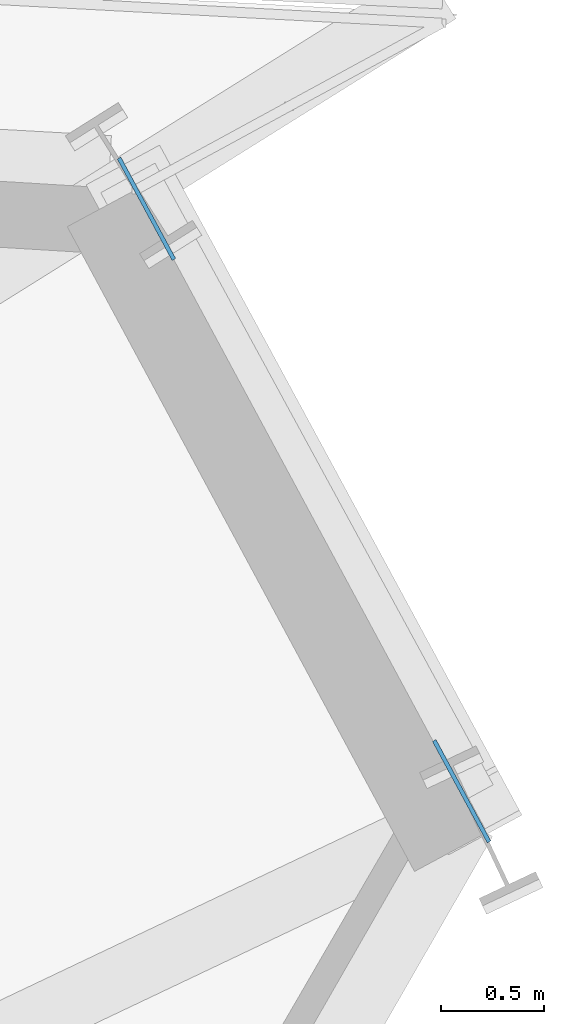
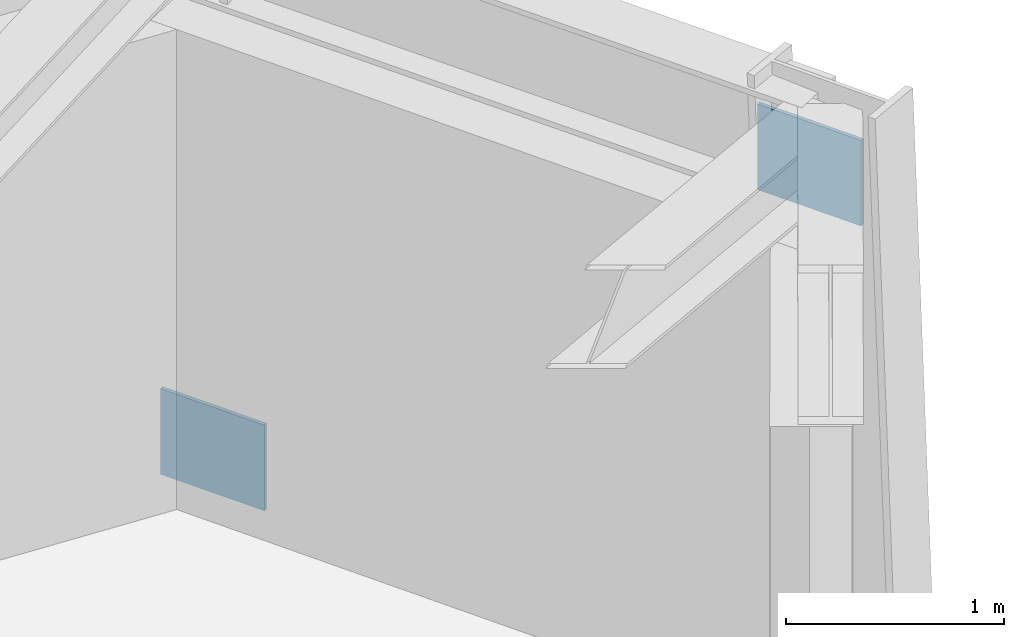
# One storey, part 7 of 14: 2 plates.
"""IFC4 building model written with IfcOpenShell, lengths in metres."""

from ifc_helpers import new_model, si_unit, direction, frame, origin, origin_2d, place, context, subcontext, project, spatial, rectangle, extrude, source, transform, mapped, material, type_object, element, save


model = new_model("IFC4")

# Units and contexts
model_context = context("Model", 3, precision=1e-05, world=origin(), true_north=direction((0.0, 1.0)))
body_context = subcontext(model_context, "Body", "Model", "MODEL_VIEW")
ifc_project = project(units=[si_unit("LENGTHUNIT", "METRE"), si_unit("AREAUNIT", "SQUARE_METRE"), si_unit("VOLUMEUNIT", "CUBIC_METRE"), si_unit("PLANEANGLEUNIT", "RADIAN"), si_unit("MASSUNIT", "GRAM", prefix="KILO")], contexts=[model_context])

# Site, building, storey
site_placement = place(None, origin())
site = spatial("IfcSite", under=ifc_project, at=site_placement, CompositionType="ELEMENT")
building_placement = place(site_placement, origin())
building = spatial("IfcBuilding", under=site, at=building_placement, Name="Olszyna Solenne Hotel", CompositionType="ELEMENT")
storey_placement = place(building_placement, frame((0.0, 0.0, 153.699951171875)))
storey = spatial("IfcBuildingStorey", under=building, at=storey_placement, Name="L40", CompositionType="ELEMENT", Elevation=153.699951171875)

# Plates
ifc_material = material(Name="Steel S355J2", Category="steel")
plate_type = type_object("IfcPlateType", Name="GP-ND2", PredefinedType="USERDEFINED", material=ifc_material)
shared_shape = source(origin(), body_context, "Body", "SweptSolid", [
    extrude(rectangle(XDim=0.56005859375, YDim=0.02001953125, at=origin_2d()), origin(), (0.0, 0.0, 1.0), 0.47998046875),
])
for number, where, z_axis, x_axis, name in (
    (1, (63.131591796875, 42.213134765625, -0.138427734375), (0.0, 0.0, 1.0), (0.475931235364, -0.87948249511, 0.0), "Brace end connection gusset plate GP-ND2 EP-BR-L40-1-1"),
    (2, (64.6630859375, 39.3828125, 2.638671875), (0.0, 0.0, 1.0), (0.475931235364, -0.87948249511, 0.0), "Brace end connection gusset plate GP-ND2 EP-BR-L40-1-2"),
):
    element("IfcPlate", number, at=place(storey_placement, frame(where, z_axis=z_axis, x_axis=x_axis)), inside=storey, type_object=plate_type, Name=name, ObjectType="GUSSET_PLATE", PredefinedType="USERDEFINED", context=body_context, shape_type="MappedRepresentation", body=[
        mapped(shared_shape, transform((0.0, 0.0, 0.0), x_axis=(1.0, 0.0, 0.0), y_axis=(0.0, 1.0, 0.0), z_axis=(0.0, 0.0, 1.0), scale=1.0)),
    ])

save(model, "model.ifc")
